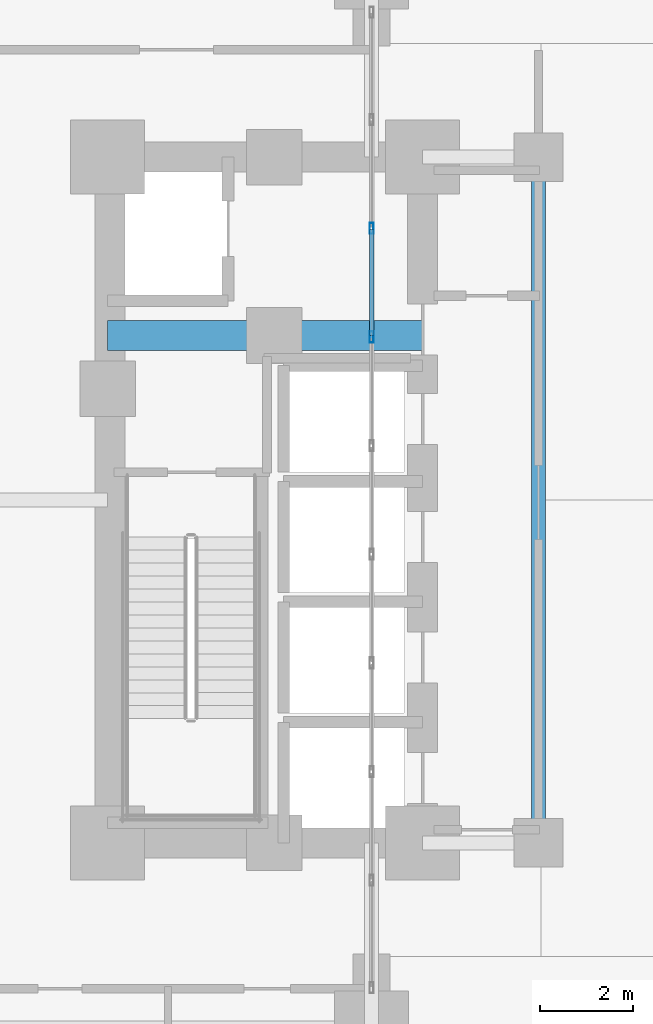
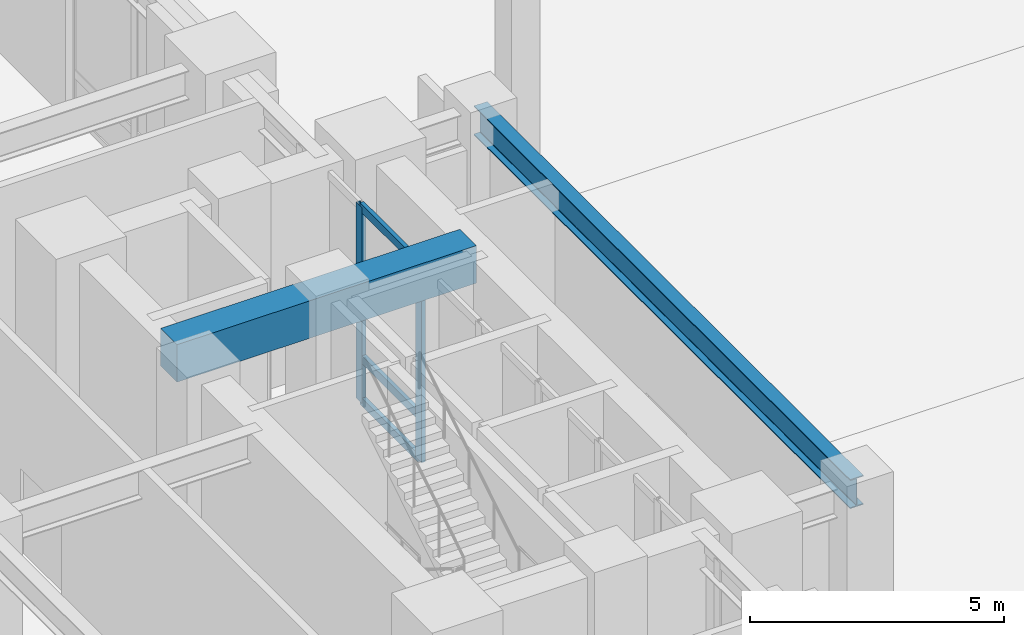
# One storey, part 6 of 23: 5 members, 2 beams, 1 element without a shape of its own.
"""IFC4 building model written with IfcOpenShell, lengths in metres."""

from ifc_helpers import new_model, si_unit, direction, frame, origin, origin_2d, place, context, subcontext, project, spatial, rectangle, hollow_rectangle, i_section, extrude, material, layer, layer_set, material_profile, profile_set, type_object, element, aggregate, save


model = new_model("IFC4")

# Units and contexts
model_context = context("Model", 3, precision=1e-05, world=origin(), true_north=direction((0.0, 1.0)))
body_context = subcontext(model_context, "Body", "Model", "MODEL_VIEW")
ifc_project = project(units=[si_unit("LENGTHUNIT", "METRE"), si_unit("AREAUNIT", "SQUARE_METRE"), si_unit("VOLUMEUNIT", "CUBIC_METRE"), si_unit("PLANEANGLEUNIT", "RADIAN"), si_unit("MASSUNIT", "GRAM", prefix="KILO")], contexts=[model_context])

# Site, building, storey
site_placement = place(None, origin())
site = spatial("IfcSite", under=ifc_project, at=site_placement, CompositionType="ELEMENT")
building_placement = place(site_placement, origin())
building = spatial("IfcBuilding", under=site, at=building_placement, Name="Voryun Gate Residences", CompositionType="ELEMENT")
storey_placement = place(building_placement, origin())
storey = spatial("IfcBuildingStorey", under=building, at=storey_placement, Name="L00", CompositionType="ELEMENT", Elevation=0.0)

# Beams
ifc_material_1 = material(Name="Concrete C60/75", Category="concrete")
ifc_material_profile_1 = material_profile(ifc_material_1, rectangle(XDim=0.64990234375, YDim=0.89990234375, at=origin_2d()), Name="RC-650x900")
ifc_profile_set_1 = profile_set([ifc_material_profile_1], Name="Concrete C60/75")
beam_type_1 = type_object("IfcBeamType", Name="BM_COUP_RC900", PredefinedType="LINTEL", material=ifc_profile_set_1)
beam_1_placement = place(storey_placement, frame((-19.199951171875, 3.550048828125, 4.469970703125), z_axis=(1.0, 0.0, 0.0), x_axis=(0.0, 1.0, 0.0)))
element("IfcBeam", 1, at=beam_1_placement, inside=storey, type_object=beam_type_1, Name="BM-L00-WC1", PredefinedType="LINTEL", context=body_context, shape_type="SweptSolid", body=[
    extrude(rectangle(XDim=0.64990234375, YDim=0.89990234375, at=origin_2d()), origin(), (0.0, 0.0, 1.0), 6.800048828125),
])
ifc_material_2 = material(Name="Steel SM355", Category="steel")
ifc_material_profile_2 = material_profile(ifc_material_2, i_section(OverallWidth=0.300048828125, OverallDepth=0.699951171875, WebThickness=0.012939453125, FlangeThickness=0.02392578125, FilletRadius=0.01806640625, at=origin_2d()), Name="H-700x300x13x24")
ifc_profile_set_2 = profile_set([ifc_material_profile_2], Name="Steel SM355")
beam_type_2 = type_object("IfcBeamType", Name="BM_GIRD_700", PredefinedType="USERDEFINED", material=ifc_profile_set_2)
beam_2_placement = place(storey_placement, frame((-9.89990234375, -7.39990234375, 4.570068359375), z_axis=(0.0, 1.0, 0.0), x_axis=(-1.0, 0.0, 0.0)))
element("IfcBeam", 2, at=beam_2_placement, inside=storey, type_object=beam_type_2, Name="BM-L00-CLRY-W", ObjectType="GIRDER", PredefinedType="USERDEFINED", context=body_context, shape_type="SweptSolid", body=[
    extrude(i_section(OverallWidth=0.300048828125, OverallDepth=0.699951171875, WebThickness=0.012939453125, FlangeThickness=0.02392578125, FilletRadius=0.01806640625, at=origin_2d()), origin(), (0.0, 0.0, 1.0), 14.7998046875),
])

# Curtain wall, members
ifc_material_3 = material(Name="Anodised aluminium", Category="aluminium")
ifc_layer = layer(ifc_material_3, 0.239990234375, Name="CW_SYS_ARCH_DARK_GLASS")
ifc_layer_set = layer_set([ifc_layer], Name="Anodised aluminium")
curtain_wall_type = type_object("IfcCurtainWallType", Name="CW_SYS_ARCH_DARK_GLASS", PredefinedType="NOTDEFINED", material=ifc_layer_set)
curtain_wall_placement = place(storey_placement, origin())
curtain_wall = element("IfcCurtainWall", 3, at=curtain_wall_placement, inside=storey, type_object=curtain_wall_type, Name="Curtain wall CW2-L00-WP-M", PredefinedType="NOTDEFINED")
ifc_material_4 = material(Name="Anodised aluminium", Category="aluminium")
ifc_material_profile_3 = material_profile(ifc_material_4, hollow_rectangle(XDim=0.090087890625, YDim=0.239990234375, WallThickness=0.006103515625, at=origin_2d()), Name="ALU-MULL-240x90x6")
ifc_profile_set_3 = profile_set([ifc_material_profile_3], Name="Anodised aluminium")
member_type_1 = type_object("IfcMemberType", Name="CW_MULL_ARCH", PredefinedType="MULLION", material=ifc_profile_set_3)
member_1_placement = place(storey_placement, frame((-13.5, 3.518310546875, 0.0), z_axis=(0.0, 0.0, 1.0), x_axis=(-1.0, 0.0, 0.0)))
member_1 = element("IfcMember", 4, at=member_1_placement, type_object=member_type_1, Name="CW2 mullion 7", PredefinedType="MULLION", context=body_context, shape_type="SweptSolid", body=[
    extrude(hollow_rectangle(XDim=0.090087890625, YDim=0.239990234375, WallThickness=0.006103515625, at=origin_2d()), origin(), (0.0, 0.0, 1.0), 4.699951171875),
])
member_2_placement = place(storey_placement, frame((-13.5, 5.86376953125, 0.0), z_axis=(0.0, 0.0, 1.0), x_axis=(-1.0, 0.0, 0.0)))
member_2 = element("IfcMember", 5, at=member_2_placement, type_object=member_type_1, Name="CW2 mullion 8", PredefinedType="MULLION", context=body_context, shape_type="SweptSolid", body=[
    extrude(hollow_rectangle(XDim=0.090087890625, YDim=0.239990234375, WallThickness=0.006103515625, at=origin_2d()), origin(), (0.0, 0.0, 1.0), 4.699951171875),
])
ifc_material_5 = material(Name="Anodised aluminium", Category="aluminium")
ifc_material_profile_4 = material_profile(ifc_material_5, hollow_rectangle(XDim=0.090087890625, YDim=0.199951171875, WallThickness=0.006103515625, at=origin_2d()), Name="ALU-TRAN-200x90x6")
ifc_profile_set_4 = profile_set([ifc_material_profile_4], Name="Anodised aluminium")
member_type_2 = type_object("IfcMemberType", Name="CW_TRAN_ARCH", PredefinedType="USERDEFINED", material=ifc_profile_set_4)
member_3_placement = place(storey_placement, frame((-13.5, 3.54833984375, 0.030029296875), z_axis=(0.0, 1.0, 0.0), x_axis=(-1.0, 0.0, 0.0)))
member_3 = element("IfcMember", 6, at=member_3_placement, type_object=member_type_2, Name="CW2 transom 7.1", ObjectType="TRANSOM", PredefinedType="USERDEFINED", context=body_context, shape_type="SweptSolid", body=[
    extrude(hollow_rectangle(XDim=0.090087890625, YDim=0.199951171875, WallThickness=0.006103515625, at=origin_2d()), origin(), (0.0, 0.0, 1.0), 2.28564453125),
])
member_4_placement = place(storey_placement, frame((-13.5, 3.54833984375, 1.050048828125), z_axis=(0.0, 1.0, 0.0), x_axis=(-1.0, 0.0, 0.0)))
member_4 = element("IfcMember", 7, at=member_4_placement, type_object=member_type_2, Name="CW2 transom 7.2", ObjectType="TRANSOM", PredefinedType="USERDEFINED", context=body_context, shape_type="SweptSolid", body=[
    extrude(hollow_rectangle(XDim=0.090087890625, YDim=0.199951171875, WallThickness=0.006103515625, at=origin_2d()), origin(), (0.0, 0.0, 1.0), 2.28564453125),
])
member_5_placement = place(storey_placement, frame((-13.5, 3.54833984375, 4.669921875), z_axis=(0.0, 1.0, 0.0), x_axis=(-1.0, 0.0, 0.0)))
member_5 = element("IfcMember", 8, at=member_5_placement, type_object=member_type_2, Name="CW2 transom 7.3", ObjectType="TRANSOM", PredefinedType="USERDEFINED", context=body_context, shape_type="SweptSolid", body=[
    extrude(hollow_rectangle(XDim=0.090087890625, YDim=0.199951171875, WallThickness=0.006103515625, at=origin_2d()), origin(), (0.0, 0.0, 1.0), 2.28564453125),
])
aggregate(curtain_wall, [member_1, member_2, member_3, member_4, member_5])

save(model, "model.ifc")
